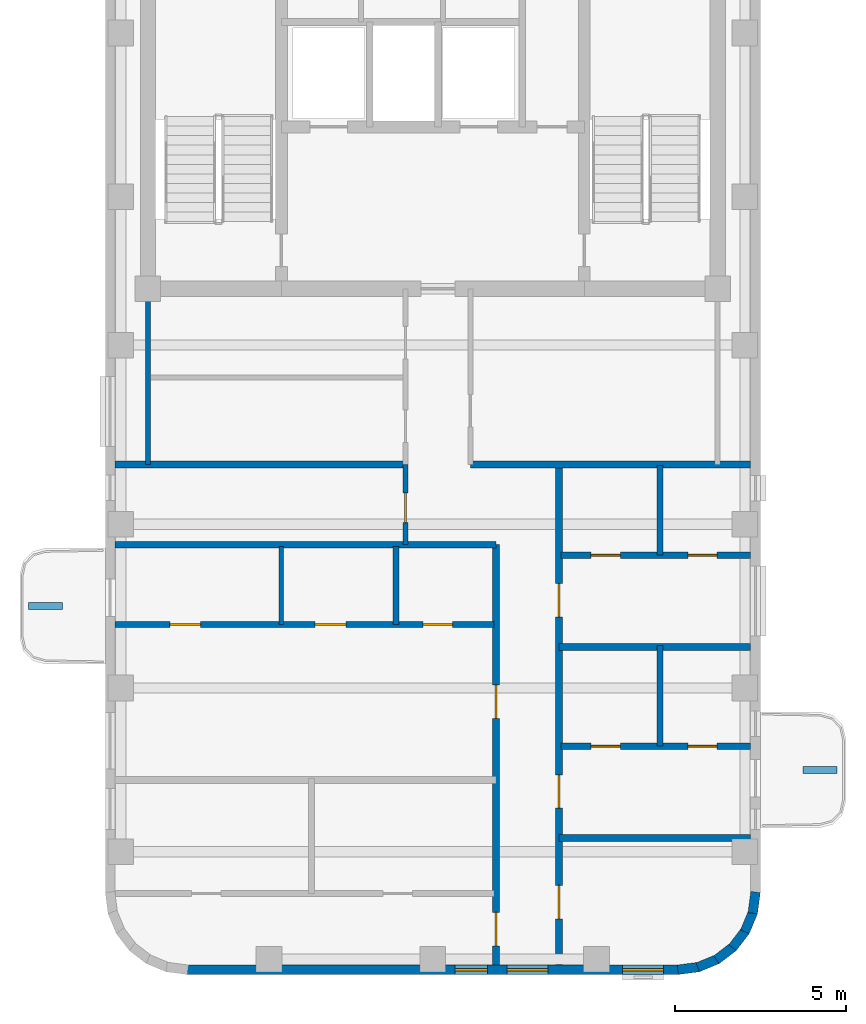
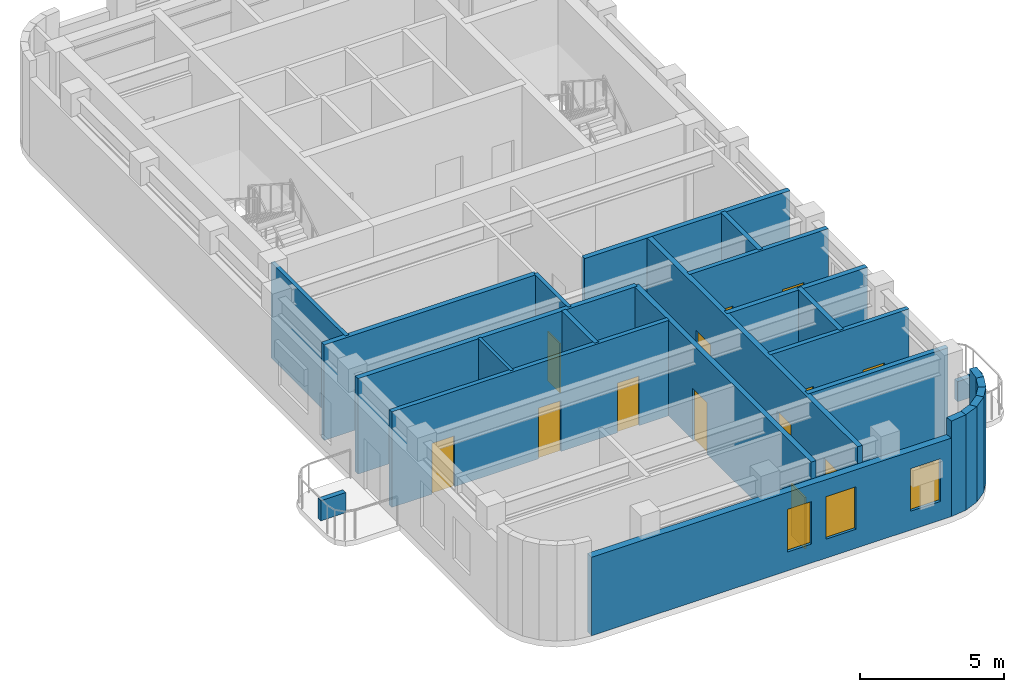
# One storey, part 2 of 6: 25 walls, 13 doors, 3 windows, 16 openings.
"""IFC4 building model written with IfcOpenShell, lengths in metres."""

from ifc_helpers import new_model, si_unit, direction, frame, frame_2d, origin, place, context, subcontext, project, spatial, rectangle, extrude, material, layer, layer_set, type_object, element, fill, save


model = new_model("IFC4")

# Units and contexts
model_context = context("Model", 3, precision=1e-05, world=origin(), true_north=direction((0.0, 1.0)))
body_context = subcontext(model_context, "Body", "Model", "MODEL_VIEW")
ifc_project = project(units=[si_unit("LENGTHUNIT", "METRE"), si_unit("AREAUNIT", "SQUARE_METRE"), si_unit("VOLUMEUNIT", "CUBIC_METRE"), si_unit("PLANEANGLEUNIT", "RADIAN"), si_unit("MASSUNIT", "GRAM", prefix="KILO")], contexts=[model_context])

# Site, building, storey
site_placement = place(None, origin())
site = spatial("IfcSite", under=ifc_project, at=site_placement, CompositionType="ELEMENT")
building_placement = place(site_placement, origin())
building = spatial("IfcBuilding", under=site, at=building_placement, Name="Orvandelia Arch Residences", CompositionType="ELEMENT")
storey_placement = place(building_placement, frame((0.0, 0.0, 274.199951171875)))
storey = spatial("IfcBuildingStorey", under=building, at=storey_placement, Name="L71", CompositionType="ELEMENT", Elevation=274.199951171875)

# Wall, openings, doors
ifc_material_1 = material(Name="Fire-Rated Corridor Partition")
ifc_layer_1 = layer(ifc_material_1, 0.199951171875, Name="Fire-Rated Corridor Partition")
ifc_layer_set_1 = layer_set([ifc_layer_1], Name="Fire-Rated Corridor Partition")
wall_type_1 = type_object("IfcWallType", Name="WL-CORR-200", PredefinedType="PARTITIONING", material=ifc_layer_set_1)
wall_1_placement = place(storey_placement, frame((16.25, 11.080078125, 0.0), z_axis=(0.0, 0.0, 1.0), x_axis=(0.0, 1.0, 0.0)))
wall_1 = element("IfcWall", 1, at=wall_1_placement, inside=storey, type_object=wall_type_1, Name="Interior Partition Wall WL-L71-WC-W", PredefinedType="PARTITIONING", context=body_context, shape_type="SweptSolid", body=[
    extrude(rectangle(XDim=12.31982421875, YDim=0.199951171875, at=frame_2d((6.159912109375, 0.0))), origin(), (0.0, 0.0, 1.0), 4.0400390625),
])
opening_1_placement = place(wall_1_placement, frame((0.56005859375, 0.0, 0.0)))
opening_1 = element("IfcOpeningElement", 2, at=opening_1_placement, cuts=wall_1, Name="Opening D1", PredefinedType="OPENING", context=body_context, shape_type="SweptSolid", body=[
    extrude(rectangle(XDim=0.97998046875, YDim=2.179931640625, at=frame_2d((0.489990234375, 1.08984375))), frame((0.0, 0.10986328125, 0.0), z_axis=(0.0, -1.0, 0.0), x_axis=(1.0, 0.0, 0.0)), (0.0, 0.0, 1.0), 0.219970703125),
])
opening_2_placement = place(wall_1_placement, frame((7.22998046875, 0.0, 0.0)))
opening_2 = element("IfcOpeningElement", 3, at=opening_2_placement, cuts=wall_1, Name="Opening D1", PredefinedType="OPENING", context=body_context, shape_type="SweptSolid", body=[
    extrude(rectangle(XDim=0.97998046875, YDim=2.179931640625, at=frame_2d((0.489990234375, 1.08984375))), frame((0.0, 0.10986328125, 0.0), z_axis=(0.0, -1.0, 0.0), x_axis=(1.0, 0.0, 0.0)), (0.0, 0.0, 1.0), 0.219970703125),
])
ifc_material_2 = material(Name="Solid-Core Timber Acoustic Fire Door", Category="wood")
door_type_1 = type_object("IfcDoorType", Name="DR-ENT-980", OperationType="NOTDEFINED", PredefinedType="DOOR", material=ifc_material_2)
door_1_placement = place(opening_1_placement, origin())
door_1 = element("IfcDoor", 4, at=door_1_placement, inside=storey, type_object=door_type_1, Name="Unit L71-01 Entrance Door", OperationType="SINGLE_SWING_LEFT", OverallHeight=2.179931640625, OverallWidth=0.97998046875, PredefinedType="DOOR", context=body_context, shape_type="SweptSolid", body=[
    extrude(rectangle(XDim=0.97998046875, YDim=2.179931640625, at=frame_2d((0.489990234375, 1.08984375))), frame((0.0, 0.02490234375, 0.0), z_axis=(0.0, -1.0, 0.0), x_axis=(1.0, 0.0, 0.0)), (0.0, 0.0, 1.0), 0.050048828125),
])
fill(opening_1, door_1)
door_2_placement = place(opening_2_placement, origin())
door_2 = element("IfcDoor", 5, at=door_2_placement, inside=storey, type_object=door_type_1, Name="Unit L71-02 Entrance Door", OperationType="SINGLE_SWING_RIGHT", OverallHeight=2.179931640625, OverallWidth=0.97998046875, PredefinedType="DOOR", context=body_context, shape_type="SweptSolid", body=[
    extrude(rectangle(XDim=0.97998046875, YDim=2.179931640625, at=frame_2d((0.489990234375, 1.08984375))), frame((0.0, 0.02490234375, 0.0), z_axis=(0.0, -1.0, 0.0), x_axis=(1.0, 0.0, 0.0)), (0.0, 0.0, 1.0), 0.050048828125),
])
fill(opening_2, door_2)

wall_2_placement = place(storey_placement, frame((18.10009765625, 11.080078125, 0.0), z_axis=(0.0, 0.0, 1.0), x_axis=(0.0, 1.0, 0.0)))
wall_2 = element("IfcWall", 6, at=wall_2_placement, inside=storey, type_object=wall_type_1, Name="Interior Partition Wall WL-L71-WC-E", PredefinedType="PARTITIONING", context=body_context, shape_type="SweptSolid", body=[
    extrude(rectangle(XDim=14.669921875, YDim=0.199951171875, at=frame_2d((7.3349609375, 0.0))), origin(), (0.0, 0.0, 1.0), 4.0400390625),
])
opening_3_placement = place(wall_2_placement, frame((1.35009765625, 0.0, 0.0)))
opening_3 = element("IfcOpeningElement", 7, at=opening_3_placement, cuts=wall_2, Name="Opening D1", PredefinedType="OPENING", context=body_context, shape_type="SweptSolid", body=[
    extrude(rectangle(XDim=0.97998046875, YDim=2.179931640625, at=frame_2d((0.489990234375, 1.08984375))), frame((0.0, 0.10986328125, 0.0), z_axis=(0.0, -1.0, 0.0), x_axis=(1.0, 0.0, 0.0)), (0.0, 0.0, 1.0), 0.219970703125),
])
opening_4_placement = place(wall_2_placement, frame((4.595947265625, 0.0, 0.0)))
opening_4 = element("IfcOpeningElement", 8, at=opening_4_placement, cuts=wall_2, Name="Opening D1", PredefinedType="OPENING", context=body_context, shape_type="SweptSolid", body=[
    extrude(rectangle(XDim=0.97998046875, YDim=2.179931640625, at=frame_2d((0.489990234375, 1.08984375))), frame((0.0, 0.10986328125, 0.0), z_axis=(0.0, -1.0, 0.0), x_axis=(1.0, 0.0, 0.0)), (0.0, 0.0, 1.0), 0.219970703125),
])
opening_5_placement = place(wall_2_placement, frame((10.196044921875, 0.0, 0.0)))
opening_5 = element("IfcOpeningElement", 9, at=opening_5_placement, cuts=wall_2, Name="Opening D1", PredefinedType="OPENING", context=body_context, shape_type="SweptSolid", body=[
    extrude(rectangle(XDim=0.97998046875, YDim=2.179931640625, at=frame_2d((0.489990234375, 1.08984375))), frame((0.0, 0.10986328125, 0.0), z_axis=(0.0, -1.0, 0.0), x_axis=(1.0, 0.0, 0.0)), (0.0, 0.0, 1.0), 0.219970703125),
])
door_3_placement = place(opening_3_placement, origin())
door_3 = element("IfcDoor", 10, at=door_3_placement, inside=storey, type_object=door_type_1, Name="Unit L71-03 Study Door", OperationType="SINGLE_SWING_LEFT", OverallHeight=2.179931640625, OverallWidth=0.97998046875, PredefinedType="DOOR", context=body_context, shape_type="SweptSolid", body=[
    extrude(rectangle(XDim=0.97998046875, YDim=2.179931640625, at=frame_2d((0.489990234375, 1.08984375))), frame((0.0, 0.02490234375, 0.0), z_axis=(0.0, -1.0, 0.0), x_axis=(1.0, 0.0, 0.0)), (0.0, 0.0, 1.0), 0.050048828125),
])
fill(opening_3, door_3)
door_4_placement = place(opening_4_placement, origin())
door_4 = element("IfcDoor", 11, at=door_4_placement, inside=storey, type_object=door_type_1, Name="Unit L71-04 Entrance Door", OperationType="SINGLE_SWING_RIGHT", OverallHeight=2.179931640625, OverallWidth=0.97998046875, PredefinedType="DOOR", context=body_context, shape_type="SweptSolid", body=[
    extrude(rectangle(XDim=0.97998046875, YDim=2.179931640625, at=frame_2d((0.489990234375, 1.08984375))), frame((0.0, 0.02490234375, 0.0), z_axis=(0.0, -1.0, 0.0), x_axis=(1.0, 0.0, 0.0)), (0.0, 0.0, 1.0), 0.050048828125),
])
fill(opening_4, door_4)
door_5_placement = place(opening_5_placement, origin())
door_5 = element("IfcDoor", 12, at=door_5_placement, inside=storey, type_object=door_type_1, Name="Unit L71-05 Entrance Door", OperationType="SINGLE_SWING_LEFT", OverallHeight=2.179931640625, OverallWidth=0.97998046875, PredefinedType="DOOR", context=body_context, shape_type="SweptSolid", body=[
    extrude(rectangle(XDim=0.97998046875, YDim=2.179931640625, at=frame_2d((0.489990234375, 1.08984375))), frame((0.0, 0.02490234375, 0.0), z_axis=(0.0, -1.0, 0.0), x_axis=(1.0, 0.0, 0.0)), (0.0, 0.0, 1.0), 0.050048828125),
])
fill(opening_5, door_5)

# Walls
wall_3_placement = place(storey_placement, frame((5.080078125, 23.39990234375, 0.0), z_axis=(0.0, 0.0, 1.0), x_axis=(1.0, 0.0, 0.0)))
element("IfcWall", 13, at=wall_3_placement, inside=storey, type_object=wall_type_1, Name="Interior Partition Wall WL-L71-WLNK-S", PredefinedType="PARTITIONING", context=body_context, shape_type="SweptSolid", body=[
    extrude(rectangle(XDim=11.169921875, YDim=0.199951171875, at=frame_2d((5.5849609375, 0.0))), origin(), (0.0, 0.0, 1.0), 4.0400390625),
])
wall_4_placement = place(storey_placement, frame((15.5, 25.75, 0.0), z_axis=(0.0, 0.0, 1.0), x_axis=(1.0, 0.0, 0.0)))
element("IfcWall", 14, at=wall_4_placement, inside=storey, type_object=wall_type_1, Name="Interior Partition Wall WL-L71-WLNK-NE", PredefinedType="PARTITIONING", context=body_context, shape_type="SweptSolid", body=[
    extrude(rectangle(XDim=8.219970703125, YDim=0.199951171875, at=frame_2d((4.10986328125, 0.0))), origin(), (0.0, 0.0, 1.0), 4.0400390625),
])
wall_5_placement = place(storey_placement, frame((5.080078125, 25.75, 0.0), z_axis=(0.0, 0.0, 1.0), x_axis=(1.0, 0.0, 0.0)))
element("IfcWall", 15, at=wall_5_placement, inside=storey, type_object=wall_type_1, Name="Interior Partition Wall WL-L71-WLNK-NW2", PredefinedType="PARTITIONING", context=body_context, shape_type="SweptSolid", body=[
    extrude(rectangle(XDim=8.52001953125, YDim=0.199951171875, at=frame_2d((4.260009765625, 0.0))), origin(), (0.0, 0.0, 1.0), 4.0400390625),
])
ifc_material_3 = material(Name="Concrete C40/50", Category="concrete")
ifc_layer_2 = layer(ifc_material_3, 0.199951171875, Name="Concrete C40/50", Category="concrete")
ifc_layer_set_2 = layer_set([ifc_layer_2], Name="Concrete C40/50")
wall_type_2 = type_object("IfcWallType", Name="WL-DEM-200", PredefinedType="SOLIDWALL", material=ifc_layer_set_2)
for number, where, z_axis, x_axis, name in (
    (16, (18.10009765625, 14.800048828125, 0.0), (0.0, 0.0, 1.0), (1.0, 0.0, 0.0), "Interior Partition Wall WL-L71-DEM-WR-148"),
    (17, (18.10009765625, 20.39990234375, 0.0), (0.0, 0.0, 1.0), (1.0, 0.0, 0.0), "Interior Partition Wall WL-L71-DEM-WR-204"),
):
    element("IfcWall", number, at=place(storey_placement, frame(where, z_axis=z_axis, x_axis=x_axis)), inside=storey, type_object=wall_type_2, Name=name, PredefinedType="SOLIDWALL", context=body_context, shape_type="SweptSolid", body=[
        extrude(rectangle(XDim=5.619873046875, YDim=0.199951171875, at=frame_2d((2.81005859375, 0.0))), origin(), (0.0, 0.0, 1.0), 4.0400390625),
    ])
ifc_material_4 = material(Name="Precast concrete C40/50", Category="concrete")
ifc_layer_3 = layer(ifc_material_4, 0.280029296875, Name="Precast concrete C40/50", Category="concrete")
ifc_layer_set_3 = layer_set([ifc_layer_3], Name="Precast concrete C40/50")
wall_type_3 = type_object("IfcWallType", Name="WL-EXT-STONE-280", PredefinedType="STANDARD", material=ifc_layer_set_3)
wall_6_placement = place(storey_placement, frame((23.861083984375, 13.21826171875, 0.0), z_axis=(0.0, 0.0, 1.0), x_axis=(-0.130555323746, -0.9914410257, 0.0)))
element("IfcWall", 18, at=wall_6_placement, inside=storey, type_object=wall_type_3, Name="Coral-Limestone Precast Facade Wall L71-015", PredefinedType="STANDARD", context=body_context, shape_type="SweptSolid", body=[
    extrude(rectangle(XDim=0.62646484375, YDim=0.280029296875, at=frame_2d((0.313232421875, 0.0))), origin(), (0.0, 0.0, 1.0), 4.0400390625),
])
wall_7_placement = place(storey_placement, frame((23.788818359375, 12.63232421875, 0.0), z_axis=(0.0, 0.0, 1.0), x_axis=(-0.382455093999, -0.923974080304, 0.0)))
element("IfcWall", 19, at=wall_7_placement, inside=storey, type_object=wall_type_3, Name="Coral-Limestone Precast Facade Wall L71-016", PredefinedType="STANDARD", context=body_context, shape_type="SweptSolid", body=[
    extrude(rectangle(XDim=0.626220703125, YDim=0.280029296875, at=frame_2d((0.31298828125, 0.0))), origin(), (0.0, 0.0, 1.0), 4.0400390625),
])
for number, where, z_axis, x_axis, name in (
    (20, (23.5673828125, 12.085205078125, 0.0), (0.0, 0.0, 1.0), (-0.608693302629, -0.793405610854, 0.0), "Coral-Limestone Precast Facade Wall L71-017"),
    (21, (23.2119140625, 11.614013671875, 0.0), (0.0, 0.0, 1.0), (-0.793405610854, -0.608693302629, 0.0), "Coral-Limestone Precast Facade Wall L71-018"),
    (22, (22.746337890625, 11.250732421875, 0.0), (0.0, 0.0, 1.0), (-0.92389335771, -0.382650053678, 0.0), "Coral-Limestone Precast Facade Wall L71-019"),
    (23, (22.202880859375, 11.0205078125, 0.0), (0.0, 0.0, 1.0), (-0.9914410257, -0.130555323746, 0.0), "Coral-Limestone Precast Facade Wall L71-020"),
):
    element("IfcWall", number, at=place(storey_placement, frame(where, z_axis=z_axis, x_axis=x_axis)), inside=storey, type_object=wall_type_3, Name=name, PredefinedType="STANDARD", context=body_context, shape_type="SweptSolid", body=[
        extrude(rectangle(XDim=0.62646484375, YDim=0.280029296875, at=frame_2d((0.313232421875, 0.0))), origin(), (0.0, 0.0, 1.0), 4.0400390625),
    ])

# Wall, openings, windows
wall_8_placement = place(storey_placement, frame((21.60009765625, 10.93994140625, 0.0), z_axis=(0.0, 0.0, 1.0), x_axis=(-1.0, 0.0, 0.0)))
wall_8 = element("IfcWall", 24, at=wall_8_placement, inside=storey, type_object=wall_type_3, Name="Coral-Limestone Precast Facade Wall L71-021", PredefinedType="STANDARD", context=body_context, shape_type="SweptSolid", body=[
    extrude(rectangle(XDim=14.400146484375, YDim=0.280029296875, at=frame_2d((7.2001953125, 0.0))), origin(), (0.0, 0.0, 1.0), 3.320068359375),
])
opening_6_placement = place(wall_8_placement, frame((5.6025390625, 0.0, 0.800048828125)))
opening_6 = element("IfcOpeningElement", 25, at=opening_6_placement, cuts=wall_8, Name="Opening W4", PredefinedType="OPENING", context=body_context, shape_type="SweptSolid", body=[
    extrude(rectangle(XDim=0.949951171875, YDim=1.800048828125, at=frame_2d((0.47509765625, 0.89990234375))), frame((0.0, 0.14990234375, 0.0), z_axis=(0.0, -1.0, 0.0), x_axis=(1.0, 0.0, 0.0)), (0.0, 0.0, 1.0), 0.300048828125),
])
opening_7_placement = place(wall_8_placement, frame((3.824951171875, 0.0, 0.800048828125)))
opening_7 = element("IfcOpeningElement", 26, at=opening_7_placement, cuts=wall_8, Name="Opening W3", PredefinedType="OPENING", context=body_context, shape_type="SweptSolid", body=[
    extrude(rectangle(XDim=1.199951171875, YDim=1.800048828125, at=frame_2d((0.60009765625, 0.89990234375))), frame((0.0, 0.14990234375, 0.0), z_axis=(0.0, -1.0, 0.0), x_axis=(1.0, 0.0, 0.0)), (0.0, 0.0, 1.0), 0.300048828125),
])
opening_8_placement = place(wall_8_placement, frame((0.4326171875, 0.0, 0.800048828125)))
opening_8 = element("IfcOpeningElement", 27, at=opening_8_placement, cuts=wall_8, Name="Opening W3", PredefinedType="OPENING", context=body_context, shape_type="SweptSolid", body=[
    extrude(rectangle(XDim=1.199951171875, YDim=1.800048828125, at=frame_2d((0.60009765625, 0.89990234375))), frame((0.0, 0.14990234375, 0.0), z_axis=(0.0, -1.0, 0.0), x_axis=(1.0, 0.0, 0.0)), (0.0, 0.0, 1.0), 0.300048828125),
])
ifc_material_5 = material(Name="Tempered Low-E Insulated Glazing", Category="glass")
window_type_1 = type_object("IfcWindowType", Name="WIN-RES-0950x1800", PartitioningType="SINGLE_PANEL", PredefinedType="WINDOW", material=ifc_material_5)
window_1_placement = place(opening_6_placement, origin())
window_1 = element("IfcWindow", 28, at=window_1_placement, inside=storey, type_object=window_type_1, Name="Recessed Punched Window L71-007", OverallHeight=1.800048828125, OverallWidth=0.949951171875, PartitioningType="SINGLE_PANEL", PredefinedType="WINDOW", context=body_context, shape_type="SweptSolid", body=[
    extrude(rectangle(XDim=0.949951171875, YDim=1.800048828125, at=frame_2d((0.47509765625, 0.89990234375))), frame((0.0, 0.030029296875, 0.0), z_axis=(0.0, -1.0, 0.0), x_axis=(1.0, 0.0, 0.0)), (0.0, 0.0, 1.0), 0.06005859375),
])
fill(opening_6, window_1)
window_type_2 = type_object("IfcWindowType", Name="WIN-RES-1200x1800", PartitioningType="SINGLE_PANEL", PredefinedType="WINDOW", material=ifc_material_5)
window_2_placement = place(opening_7_placement, origin())
window_2 = element("IfcWindow", 29, at=window_2_placement, inside=storey, type_object=window_type_2, Name="Recessed Punched Window L71-008", OverallHeight=1.800048828125, OverallWidth=1.199951171875, PartitioningType="SINGLE_PANEL", PredefinedType="WINDOW", context=body_context, shape_type="SweptSolid", body=[
    extrude(rectangle(XDim=1.199951171875, YDim=1.800048828125, at=frame_2d((0.60009765625, 0.89990234375))), frame((0.0, 0.030029296875, 0.0), z_axis=(0.0, -1.0, 0.0), x_axis=(1.0, 0.0, 0.0)), (0.0, 0.0, 1.0), 0.06005859375),
])
fill(opening_7, window_2)
window_3_placement = place(opening_8_placement, origin())
window_3 = element("IfcWindow", 30, at=window_3_placement, inside=storey, type_object=window_type_2, Name="Recessed Punched Window L71-009", OverallHeight=1.800048828125, OverallWidth=1.199951171875, PartitioningType="SINGLE_PANEL", PredefinedType="WINDOW", context=body_context, shape_type="SweptSolid", body=[
    extrude(rectangle(XDim=1.199951171875, YDim=1.800048828125, at=frame_2d((0.60009765625, 0.89990234375))), frame((0.0, 0.030029296875, 0.0), z_axis=(0.0, -1.0, 0.0), x_axis=(1.0, 0.0, 0.0)), (0.0, 0.0, 1.0), 0.06005859375),
])
fill(opening_8, window_3)

# Walls
ifc_material_6 = material(Name="Lightweight Gypsum Stud Partition")
ifc_layer_4 = layer(ifc_material_6, 0.1201171875, Name="Lightweight Gypsum Stud Partition")
ifc_layer_set_4 = layer_set([ifc_layer_4], Name="Lightweight Gypsum Stud Partition")
wall_type_4 = type_object("IfcWallType", Name="WL-PART-120", PredefinedType="PARTITIONING", material=ifc_layer_set_4)
wall_9_placement = place(storey_placement, frame((9.95703125, 21.06005859375, 0.0), z_axis=(0.0, 0.0, 1.0), x_axis=(0.0, 1.0, 0.0)))
element("IfcWall", 31, at=wall_9_placement, inside=storey, type_object=wall_type_4, Name="Interior Partition Wall WL-L71-U02-V1", PredefinedType="PARTITIONING", context=body_context, shape_type="SweptSolid", body=[
    extrude(rectangle(XDim=2.280029296875, YDim=0.1201171875, at=frame_2d((1.14013671875, 0.0))), origin(), (0.0, 0.0, 1.0), 4.0400390625),
])
ifc_material_7 = material(Name="Acoustic Gypsum Stud Partition")
ifc_layer_5 = layer(ifc_material_7, 0.14990234375, Name="Acoustic Gypsum Stud Partition")
ifc_layer_set_5 = layer_set([ifc_layer_5], Name="Acoustic Gypsum Stud Partition")
wall_type_5 = type_object("IfcWallType", Name="WL-PART-150", PredefinedType="PARTITIONING", material=ifc_layer_set_5)
wall_10_placement = place(storey_placement, frame((6.050048828125, 25.75, 0.0), z_axis=(0.0, 0.0, 1.0), x_axis=(0.0, 1.0, 0.0)))
element("IfcWall", 32, at=wall_10_placement, inside=storey, type_object=wall_type_5, Name="Interior Partition Wall WL-L71-HI-WW", PredefinedType="PARTITIONING", context=body_context, shape_type="SweptSolid", body=[
    extrude(rectangle(XDim=5.14990234375, YDim=0.14990234375, at=frame_2d((2.574951171875, 0.0))), origin(), (0.0, 0.0, 1.0), 4.0400390625),
])

# Wall, opening, door
wall_11_placement = place(storey_placement, frame((13.60009765625, 23.39990234375, 0.0), z_axis=(0.0, 0.0, 1.0), x_axis=(0.0, 1.0, 0.0)))
wall_11 = element("IfcWall", 33, at=wall_11_placement, inside=storey, type_object=wall_type_5, Name="Interior Partition Wall WL-L71-WLNK-W", PredefinedType="PARTITIONING", context=body_context, shape_type="SweptSolid", body=[
    extrude(rectangle(XDim=2.35009765625, YDim=0.14990234375, at=frame_2d((1.175048828125, 0.0))), origin(), (0.0, 0.0, 1.0), 4.0400390625),
])
opening_9_placement = place(wall_11_placement, frame((0.64990234375, 0.0, 0.0)))
opening_9 = element("IfcOpeningElement", 34, at=opening_9_placement, cuts=wall_11, Name="Opening D4", PredefinedType="OPENING", context=body_context, shape_type="SweptSolid", body=[
    extrude(rectangle(XDim=0.860107421875, YDim=2.10009765625, at=frame_2d((0.43017578125, 1.050048828125))), frame((0.0, 0.0849609375, 0.0), z_axis=(0.0, -1.0, 0.0), x_axis=(1.0, 0.0, 0.0)), (0.0, 0.0, 1.0), 0.169921875),
])
ifc_material_8 = material(Name="Moisture-Sealed Timber Bathroom Door", Category="wood")
door_type_2 = type_object("IfcDoorType", Name="DR-WET-900", OperationType="NOTDEFINED", PredefinedType="DOOR", material=ifc_material_8)
door_6_placement = place(opening_9_placement, origin())
door_6 = element("IfcDoor", 35, at=door_6_placement, inside=storey, type_object=door_type_2, Name="DR-L71-WLNKST", OperationType="SINGLE_SWING_LEFT", OverallHeight=2.10009765625, OverallWidth=0.860107421875, PredefinedType="DOOR", context=body_context, shape_type="SweptSolid", body=[
    extrude(rectangle(XDim=0.860107421875, YDim=2.10009765625, at=frame_2d((0.43017578125, 1.050048828125))), frame((0.0, 0.02490234375, 0.0), z_axis=(0.0, -1.0, 0.0), x_axis=(1.0, 0.0, 0.0)), (0.0, 0.0, 1.0), 0.050048828125),
])
fill(opening_9, door_6)

# Walls
ifc_layer_6 = layer(ifc_material_4, 0.199951171875, Name="Precast concrete C40/50", Category="concrete")
ifc_layer_set_6 = layer_set([ifc_layer_6], Name="Precast concrete C40/50")
wall_type_6 = type_object("IfcWallType", Name="WL-PLANTER-200", PredefinedType="MOVABLE", material=ifc_layer_set_6)
for number, where, z_axis, x_axis, name in (
    (36, (2.550048828125, 21.60009765625, 0.0), (0.0, 0.0, 1.0), (1.0, 0.0, 0.0), "Balcony Precast Tree Planter BAL-L71-W1"),
    (37, (25.25, 16.800048828125, 0.0), (0.0, 0.0, 1.0), (1.0, 0.0, 0.0), "Balcony Precast Tree Planter BAL-L71-W2"),
):
    element("IfcWall", number, at=place(storey_placement, frame(where, z_axis=z_axis, x_axis=x_axis)), inside=storey, type_object=wall_type_6, Name=name, PredefinedType="MOVABLE", context=body_context, shape_type="SweptSolid", body=[
        extrude(rectangle(XDim=1.0, YDim=0.199951171875, at=frame_2d((0.5, 0.0))), origin(), (0.0, 0.0, 1.0), 0.85009765625),
    ])

# Wall, openings, doors
ifc_material_9 = material(Name="Moisture-Resistant Plumbing Wall")
ifc_layer_7 = layer(ifc_material_9, 0.179931640625, Name="Moisture-Resistant Plumbing Wall")
ifc_layer_set_7 = layer_set([ifc_layer_7], Name="Moisture-Resistant Plumbing Wall")
wall_type_7 = type_object("IfcWallType", Name="WL-WET-180", PredefinedType="PLUMBINGWALL", material=ifc_layer_set_7)
wall_12_placement = place(storey_placement, frame((5.080078125, 21.06005859375, 0.0), z_axis=(0.0, 0.0, 1.0), x_axis=(1.0, 0.0, 0.0)))
wall_12 = element("IfcWall", 38, at=wall_12_placement, inside=storey, type_object=wall_type_7, Name="Interior Partition Wall WL-L71-U02-HZ", PredefinedType="PLUMBINGWALL", context=body_context, shape_type="SweptSolid", body=[
    extrude(rectangle(XDim=11.10986328125, YDim=0.179931640625, at=frame_2d((5.554931640625, 0.0))), origin(), (0.0, 0.0, 1.0), 4.0400390625),
])
opening_10_placement = place(wall_12_placement, frame((1.611083984375, 0.0, 0.0)))
opening_10 = element("IfcOpeningElement", 39, at=opening_10_placement, cuts=wall_12, Name="Opening D3", PredefinedType="OPENING", context=body_context, shape_type="SweptSolid", body=[
    extrude(rectangle(XDim=0.89990234375, YDim=2.14990234375, at=frame_2d((0.449951171875, 1.074951171875))), frame((0.0, 0.10009765625, 0.0), z_axis=(0.0, -1.0, 0.0), x_axis=(1.0, 0.0, 0.0)), (0.0, 0.0, 1.0), 0.199951171875),
])
opening_11_placement = place(wall_12_placement, frame((5.874267578125, 0.0, 0.0)))
opening_11 = element("IfcOpeningElement", 40, at=opening_11_placement, cuts=wall_12, Name="Opening D3", PredefinedType="OPENING", context=body_context, shape_type="SweptSolid", body=[
    extrude(rectangle(XDim=0.89990234375, YDim=2.14990234375, at=frame_2d((0.449951171875, 1.074951171875))), frame((0.0, 0.10009765625, 0.0), z_axis=(0.0, -1.0, 0.0), x_axis=(1.0, 0.0, 0.0)), (0.0, 0.0, 1.0), 0.199951171875),
])
opening_12_placement = place(wall_12_placement, frame((9.0380859375, 0.0, 0.0)))
opening_12 = element("IfcOpeningElement", 41, at=opening_12_placement, cuts=wall_12, Name="Opening D4", PredefinedType="OPENING", context=body_context, shape_type="SweptSolid", body=[
    extrude(rectangle(XDim=0.860107421875, YDim=2.10009765625, at=frame_2d((0.43017578125, 1.050048828125))), frame((0.0, 0.10009765625, 0.0), z_axis=(0.0, -1.0, 0.0), x_axis=(1.0, 0.0, 0.0)), (0.0, 0.0, 1.0), 0.199951171875),
])
ifc_material_10 = material(Name="Engineered Timber Flush Door", Category="wood")
door_type_3 = type_object("IfcDoorType", Name="DR-INT-900", OperationType="NOTDEFINED", PredefinedType="DOOR", material=ifc_material_10)
door_7_placement = place(opening_10_placement, origin())
door_7 = element("IfcDoor", 42, at=door_7_placement, inside=storey, type_object=door_type_3, Name="DR-L71-U02-BD1", OperationType="SINGLE_SWING_RIGHT", OverallHeight=2.14990234375, OverallWidth=0.89990234375, PredefinedType="DOOR", context=body_context, shape_type="SweptSolid", body=[
    extrude(rectangle(XDim=0.89990234375, YDim=2.14990234375, at=frame_2d((0.449951171875, 1.074951171875))), frame((0.0, 0.02490234375, 0.0), z_axis=(0.0, -1.0, 0.0), x_axis=(1.0, 0.0, 0.0)), (0.0, 0.0, 1.0), 0.050048828125),
])
fill(opening_10, door_7)
door_8_placement = place(opening_11_placement, origin())
door_8 = element("IfcDoor", 43, at=door_8_placement, inside=storey, type_object=door_type_3, Name="DR-L71-U02-KIT", OperationType="SINGLE_SWING_LEFT", OverallHeight=2.14990234375, OverallWidth=0.89990234375, PredefinedType="DOOR", context=body_context, shape_type="SweptSolid", body=[
    extrude(rectangle(XDim=0.89990234375, YDim=2.14990234375, at=frame_2d((0.449951171875, 1.074951171875))), frame((0.0, 0.02490234375, 0.0), z_axis=(0.0, -1.0, 0.0), x_axis=(1.0, 0.0, 0.0)), (0.0, 0.0, 1.0), 0.050048828125),
])
fill(opening_11, door_8)
door_9_placement = place(opening_12_placement, origin())
door_9 = element("IfcDoor", 44, at=door_9_placement, inside=storey, type_object=door_type_2, Name="DR-L71-U02-BTH", OperationType="SINGLE_SWING_RIGHT", OverallHeight=2.10009765625, OverallWidth=0.860107421875, PredefinedType="DOOR", context=body_context, shape_type="SweptSolid", body=[
    extrude(rectangle(XDim=0.860107421875, YDim=2.10009765625, at=frame_2d((0.43017578125, 1.050048828125))), frame((0.0, 0.02490234375, 0.0), z_axis=(0.0, -1.0, 0.0), x_axis=(1.0, 0.0, 0.0)), (0.0, 0.0, 1.0), 0.050048828125),
])
fill(opening_12, door_9)

# Wall
wall_13_placement = place(storey_placement, frame((13.322998046875, 21.06005859375, 0.0), z_axis=(0.0, 0.0, 1.0), x_axis=(0.0, 1.0, 0.0)))
element("IfcWall", 45, at=wall_13_placement, inside=storey, type_object=wall_type_7, Name="Interior Partition Wall WL-L71-U02-V2", PredefinedType="PLUMBINGWALL", context=body_context, shape_type="SweptSolid", body=[
    extrude(rectangle(XDim=2.280029296875, YDim=0.179931640625, at=frame_2d((1.14013671875, 0.0))), origin(), (0.0, 0.0, 1.0), 4.0400390625),
])

# Wall, openings, doors
wall_14_placement = place(storey_placement, frame((18.159912109375, 17.491943359375, 0.0), z_axis=(0.0, 0.0, 1.0), x_axis=(1.0, 0.0, 0.0)))
wall_14 = element("IfcWall", 46, at=wall_14_placement, inside=storey, type_object=wall_type_7, Name="Interior Partition Wall WL-L71-U04-HZ", PredefinedType="PLUMBINGWALL", context=body_context, shape_type="SweptSolid", body=[
    extrude(rectangle(XDim=5.56005859375, YDim=0.179931640625, at=frame_2d((2.780029296875, 0.0))), origin(), (0.0, 0.0, 1.0), 4.0400390625),
])
opening_13_placement = place(wall_14_placement, frame((0.8759765625, 0.0, 0.0)))
opening_13 = element("IfcOpeningElement", 47, at=opening_13_placement, cuts=wall_14, Name="Opening D4", PredefinedType="OPENING", context=body_context, shape_type="SweptSolid", body=[
    extrude(rectangle(XDim=0.860107421875, YDim=2.10009765625, at=frame_2d((0.43017578125, 1.050048828125))), frame((0.0, 0.10009765625, 0.0), z_axis=(0.0, -1.0, 0.0), x_axis=(1.0, 0.0, 0.0)), (0.0, 0.0, 1.0), 0.199951171875),
])
opening_14_placement = place(wall_14_placement, frame((3.716064453125, 0.0, 0.0)))
opening_14 = element("IfcOpeningElement", 48, at=opening_14_placement, cuts=wall_14, Name="Opening D4", PredefinedType="OPENING", context=body_context, shape_type="SweptSolid", body=[
    extrude(rectangle(XDim=0.860107421875, YDim=2.10009765625, at=frame_2d((0.43017578125, 1.050048828125))), frame((0.0, 0.10009765625, 0.0), z_axis=(0.0, -1.0, 0.0), x_axis=(1.0, 0.0, 0.0)), (0.0, 0.0, 1.0), 0.199951171875),
])
door_10_placement = place(opening_13_placement, origin())
door_10 = element("IfcDoor", 49, at=door_10_placement, inside=storey, type_object=door_type_2, Name="DR-L71-U04-KIT", OperationType="SINGLE_SWING_RIGHT", OverallHeight=2.10009765625, OverallWidth=0.860107421875, PredefinedType="DOOR", context=body_context, shape_type="SweptSolid", body=[
    extrude(rectangle(XDim=0.860107421875, YDim=2.10009765625, at=frame_2d((0.43017578125, 1.050048828125))), frame((0.0, 0.02490234375, 0.0), z_axis=(0.0, -1.0, 0.0), x_axis=(1.0, 0.0, 0.0)), (0.0, 0.0, 1.0), 0.050048828125),
])
fill(opening_13, door_10)
door_11_placement = place(opening_14_placement, origin())
door_11 = element("IfcDoor", 50, at=door_11_placement, inside=storey, type_object=door_type_2, Name="DR-L71-U04-BTH", OperationType="SINGLE_SWING_LEFT", OverallHeight=2.10009765625, OverallWidth=0.860107421875, PredefinedType="DOOR", context=body_context, shape_type="SweptSolid", body=[
    extrude(rectangle(XDim=0.860107421875, YDim=2.10009765625, at=frame_2d((0.43017578125, 1.050048828125))), frame((0.0, 0.02490234375, 0.0), z_axis=(0.0, -1.0, 0.0), x_axis=(1.0, 0.0, 0.0)), (0.0, 0.0, 1.0), 0.050048828125),
])
fill(opening_14, door_11)

# Wall
wall_15_placement = place(storey_placement, frame((21.06201171875, 17.491943359375, 0.0), z_axis=(0.0, 0.0, 1.0), x_axis=(0.0, 1.0, 0.0)))
element("IfcWall", 51, at=wall_15_placement, inside=storey, type_object=wall_type_7, Name="Interior Partition Wall WL-L71-U04-V1", PredefinedType="PLUMBINGWALL", context=body_context, shape_type="SweptSolid", body=[
    extrude(rectangle(XDim=2.947998046875, YDim=0.179931640625, at=frame_2d((1.47412109375, 0.0))), origin(), (0.0, 0.0, 1.0), 4.0400390625),
])

# Wall, openings, doors
wall_16_placement = place(storey_placement, frame((18.159912109375, 23.092041015625, 0.0), z_axis=(0.0, 0.0, 1.0), x_axis=(1.0, 0.0, 0.0)))
wall_16 = element("IfcWall", 52, at=wall_16_placement, inside=storey, type_object=wall_type_7, Name="Interior Partition Wall WL-L71-U05-HZ", PredefinedType="PLUMBINGWALL", context=body_context, shape_type="SweptSolid", body=[
    extrude(rectangle(XDim=5.56005859375, YDim=0.179931640625, at=frame_2d((2.780029296875, 0.0))), origin(), (0.0, 0.0, 1.0), 4.0400390625),
])
opening_15_placement = place(wall_16_placement, frame((0.8759765625, 0.0, 0.0)))
opening_15 = element("IfcOpeningElement", 53, at=opening_15_placement, cuts=wall_16, Name="Opening D4", PredefinedType="OPENING", context=body_context, shape_type="SweptSolid", body=[
    extrude(rectangle(XDim=0.860107421875, YDim=2.10009765625, at=frame_2d((0.43017578125, 1.050048828125))), frame((0.0, 0.10009765625, 0.0), z_axis=(0.0, -1.0, 0.0), x_axis=(1.0, 0.0, 0.0)), (0.0, 0.0, 1.0), 0.199951171875),
])
opening_16_placement = place(wall_16_placement, frame((3.716064453125, 0.0, 0.0)))
opening_16 = element("IfcOpeningElement", 54, at=opening_16_placement, cuts=wall_16, Name="Opening D4", PredefinedType="OPENING", context=body_context, shape_type="SweptSolid", body=[
    extrude(rectangle(XDim=0.860107421875, YDim=2.10009765625, at=frame_2d((0.43017578125, 1.050048828125))), frame((0.0, 0.10009765625, 0.0), z_axis=(0.0, -1.0, 0.0), x_axis=(1.0, 0.0, 0.0)), (0.0, 0.0, 1.0), 0.199951171875),
])
door_12_placement = place(opening_15_placement, origin())
door_12 = element("IfcDoor", 55, at=door_12_placement, inside=storey, type_object=door_type_2, Name="DR-L71-U05-KIT", OperationType="SINGLE_SWING_LEFT", OverallHeight=2.10009765625, OverallWidth=0.860107421875, PredefinedType="DOOR", context=body_context, shape_type="SweptSolid", body=[
    extrude(rectangle(XDim=0.860107421875, YDim=2.10009765625, at=frame_2d((0.43017578125, 1.050048828125))), frame((0.0, 0.02490234375, 0.0), z_axis=(0.0, -1.0, 0.0), x_axis=(1.0, 0.0, 0.0)), (0.0, 0.0, 1.0), 0.050048828125),
])
fill(opening_15, door_12)
door_13_placement = place(opening_16_placement, origin())
door_13 = element("IfcDoor", 56, at=door_13_placement, inside=storey, type_object=door_type_2, Name="DR-L71-U05-BTH", OperationType="SINGLE_SWING_RIGHT", OverallHeight=2.10009765625, OverallWidth=0.860107421875, PredefinedType="DOOR", context=body_context, shape_type="SweptSolid", body=[
    extrude(rectangle(XDim=0.860107421875, YDim=2.10009765625, at=frame_2d((0.43017578125, 1.050048828125))), frame((0.0, 0.02490234375, 0.0), z_axis=(0.0, -1.0, 0.0), x_axis=(1.0, 0.0, 0.0)), (0.0, 0.0, 1.0), 0.050048828125),
])
fill(opening_16, door_13)

# Wall
wall_17_placement = place(storey_placement, frame((21.06201171875, 23.092041015625, 0.0), z_axis=(0.0, 0.0, 1.0), x_axis=(0.0, 1.0, 0.0)))
element("IfcWall", 57, at=wall_17_placement, inside=storey, type_object=wall_type_7, Name="Interior Partition Wall WL-L71-U05-V1", PredefinedType="PLUMBINGWALL", context=body_context, shape_type="SweptSolid", body=[
    extrude(rectangle(XDim=2.6279296875, YDim=0.179931640625, at=frame_2d((1.31396484375, 0.0))), origin(), (0.0, 0.0, 1.0), 4.0400390625),
])

save(model, "model.ifc")
